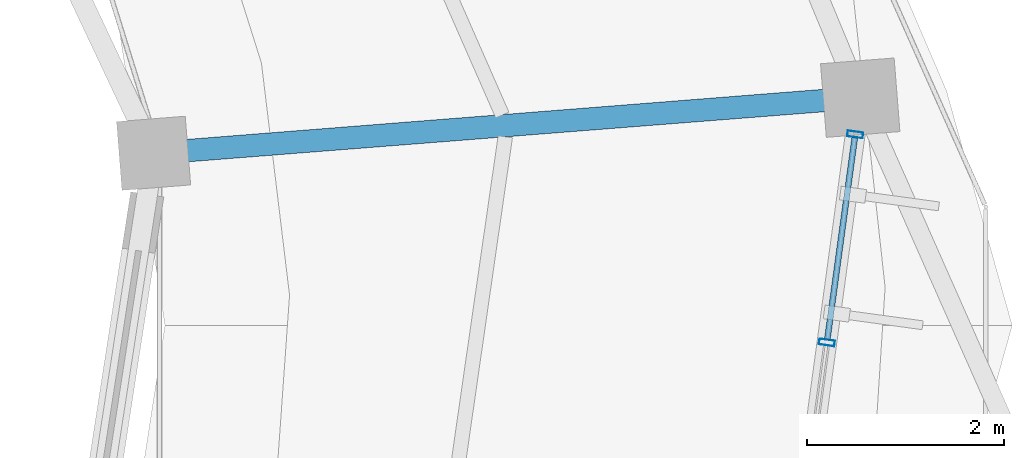
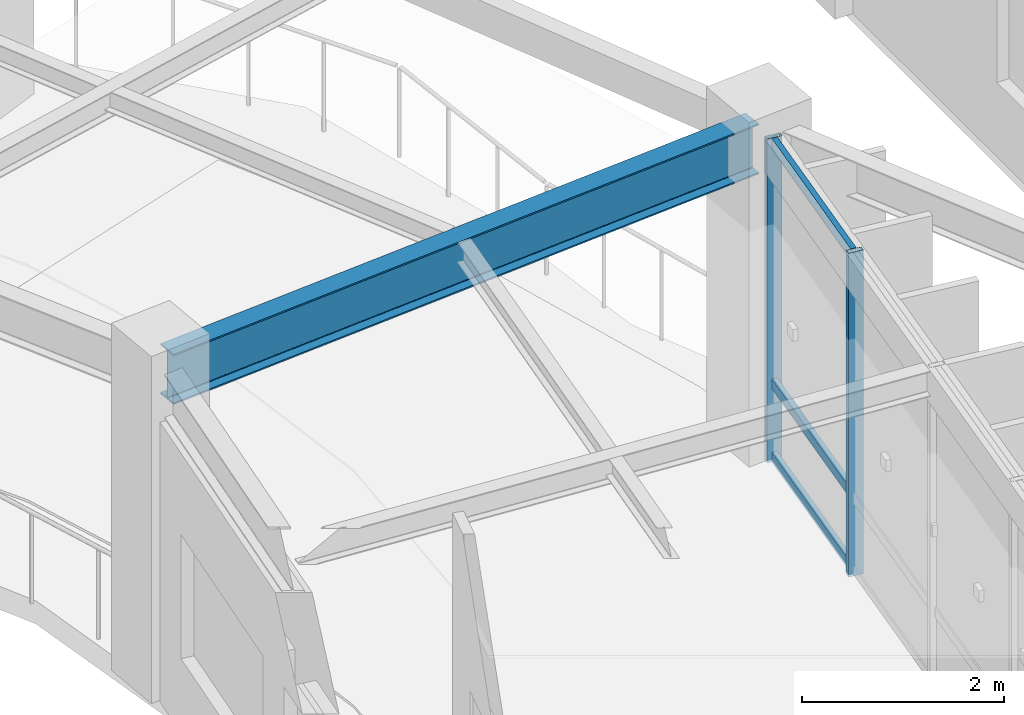
# One storey, part 99 of 152: 5 members, 1 beam, 1 element without a shape of its own.
"""IFC4 building model written with IfcOpenShell, lengths in metres."""

from ifc_helpers import new_model, si_unit, direction, frame, origin, origin_2d, place, context, subcontext, project, spatial, hollow_rectangle, i_section, extrude, material, material_profile, profile_set, type_object, element, aggregate, save


model = new_model("IFC4")

# Units and contexts
model_context = context("Model", 3, precision=1e-05, world=origin(), true_north=direction((0.0, 1.0)))
body_context = subcontext(model_context, "Body", "Model", "MODEL_VIEW")
ifc_project = project(units=[si_unit("LENGTHUNIT", "METRE"), si_unit("AREAUNIT", "SQUARE_METRE"), si_unit("VOLUMEUNIT", "CUBIC_METRE"), si_unit("PLANEANGLEUNIT", "RADIAN"), si_unit("MASSUNIT", "GRAM", prefix="KILO"), si_unit("THERMODYNAMICTEMPERATUREUNIT", "KELVIN"), si_unit("POWERUNIT", "WATT")], contexts=[model_context])

# Site, building, storey
site_placement = place(None, origin())
site = spatial("IfcSite", under=ifc_project, at=site_placement, CompositionType="ELEMENT")
building_placement = place(site_placement, origin())
building = spatial("IfcBuilding", under=site, at=building_placement, Name="Darbajah Civic Hall", CompositionType="ELEMENT")
storey_placement = place(building_placement, frame((0.0, 0.0, 5.39990234375)))
storey = spatial("IfcBuildingStorey", under=building, at=storey_placement, Name="L01", CompositionType="ELEMENT", Elevation=5.39990234375)

# Curtain wall, members
ifc_material_1 = material(Name="Anodised Bronze Aluminium and Low-E Glazing", Category="aluminium")
curtain_wall_type = type_object("IfcCurtainWallType", Name="Unitised Curtain Wall CW-36 8500x3900", PredefinedType="USERDEFINED", material=ifc_material_1)
curtain_wall_placement = place(storey_placement, origin())
curtain_wall = element("IfcCurtainWall", 1, at=curtain_wall_placement, inside=storey, type_object=curtain_wall_type, Name="L01 unitised curtain wall CW-V1O-L01-19", ObjectType="UNITISED CURTAIN WALL", PredefinedType="USERDEFINED")
ifc_material_2 = material(Name="Anodised Bronze Aluminium", Category="aluminium")
ifc_material_profile_1 = material_profile(ifc_material_2, hollow_rectangle(XDim=0.06005859375, YDim=0.159912109375, WallThickness=0.00341796875, at=origin_2d()), Name="ALU MULLION 60x160")
ifc_profile_set_1 = profile_set([ifc_material_profile_1], Name="Anodised Bronze Aluminium")
member_type_1 = type_object("IfcMemberType", Name="ALU MULLION 60x160", PredefinedType="MULLION", material=ifc_profile_set_1)
member_1_placement = place(storey_placement, frame((139.6044921875, 89.62744140625, 0.0), z_axis=(0.0, 0.0, 1.0), x_axis=(0.134850930274, 0.990865897387, 0.0)))
member_1 = element("IfcMember", 2, at=member_1_placement, type_object=member_type_1, Name="CW-V1O-L01-19 mullion 4", PredefinedType="MULLION", context=body_context, shape_type="SweptSolid", body=[
    extrude(hollow_rectangle(XDim=0.06005859375, YDim=0.159912109375, WallThickness=0.00341796875, at=origin_2d()), origin(), (0.0, 0.0, 1.0), 3.920166015625),
])
member_2_placement = place(storey_placement, frame((139.89208984375, 91.740966796875, 0.0), z_axis=(0.0, 0.0, 1.0), x_axis=(0.134850930274, 0.990865897387, 0.0)))
member_2 = element("IfcMember", 3, at=member_2_placement, type_object=member_type_1, Name="CW-V1O-L01-19 mullion 5", PredefinedType="MULLION", context=body_context, shape_type="SweptSolid", body=[
    extrude(hollow_rectangle(XDim=0.06005859375, YDim=0.159912109375, WallThickness=0.00341796875, at=origin_2d()), origin(), (0.0, 0.0, 1.0), 3.920166015625),
])
ifc_material_profile_2 = material_profile(ifc_material_2, hollow_rectangle(XDim=0.06005859375, YDim=0.1201171875, WallThickness=0.003173828125, at=origin_2d()), Name="ALU TRANSOM 60x120")
ifc_profile_set_2 = profile_set([ifc_material_profile_2], Name="Anodised Bronze Aluminium")
member_type_2 = type_object("IfcMemberType", Name="ALU TRANSOM 60x120", PredefinedType="USERDEFINED", material=ifc_profile_set_2)
member_3_placement = place(storey_placement, frame((139.609130859375, 89.662109375, 0.06005859375), z_axis=(0.134791058851, 0.990874043688, 0.0), x_axis=(-0.990874043688, 0.134791058851, 0.0)))
member_3 = element("IfcMember", 4, at=member_3_placement, type_object=member_type_2, Name="CW-V1O-L01-19 transom 4.1", ObjectType="TRANSOM", PredefinedType="USERDEFINED", context=body_context, shape_type="SweptSolid", body=[
    extrude(hollow_rectangle(XDim=0.06005859375, YDim=0.1201171875, WallThickness=0.003173828125, at=origin_2d()), origin(), (0.0, 0.0, 1.0), 2.06298828125),
])
member_4_placement = place(storey_placement, frame((139.609130859375, 89.662109375, 0.9501953125), z_axis=(0.134791058851, 0.990874043688, 0.0), x_axis=(-0.990874043688, 0.134791058851, 0.0)))
member_4 = element("IfcMember", 5, at=member_4_placement, type_object=member_type_2, Name="CW-V1O-L01-19 transom 4.2", ObjectType="TRANSOM", PredefinedType="USERDEFINED", context=body_context, shape_type="SweptSolid", body=[
    extrude(hollow_rectangle(XDim=0.06005859375, YDim=0.1201171875, WallThickness=0.003173828125, at=origin_2d()), origin(), (0.0, 0.0, 1.0), 2.06298828125),
])
member_5_placement = place(storey_placement, frame((139.609130859375, 89.662109375, 3.860107421875), z_axis=(0.134791058851, 0.990874043688, 0.0), x_axis=(-0.990874043688, 0.134791058851, 0.0)))
member_5 = element("IfcMember", 6, at=member_5_placement, type_object=member_type_2, Name="CW-V1O-L01-19 transom 4.3", ObjectType="TRANSOM", PredefinedType="USERDEFINED", context=body_context, shape_type="SweptSolid", body=[
    extrude(hollow_rectangle(XDim=0.06005859375, YDim=0.1201171875, WallThickness=0.003173828125, at=origin_2d()), origin(), (0.0, 0.0, 1.0), 2.06298828125),
])
aggregate(curtain_wall, [member_1, member_2, member_3, member_4, member_5])

# Beam
ifc_material_3 = material(Name="Steel S355JR", Category="steel")
ifc_material_profile_3 = material_profile(ifc_material_3, i_section(OverallWidth=0.228271484375, OverallDepth=0.607666015625, WebThickness=0.010986328125, FlangeThickness=0.017333984375, FilletRadius=0.0126953125, at=origin_2d()), Name="UB 610x229x113")
ifc_profile_set_3 = profile_set([ifc_material_profile_3], Name="Steel S355JR")
beam_type = type_object("IfcBeamType", Name="UB 610x229x113", PredefinedType="BEAM", material=ifc_profile_set_3)
beam_placement = place(storey_placement, frame((132.8447265625, 91.555908203125, 3.6162109375), z_axis=(0.996918521601, 0.078444000969, 0.0), x_axis=(-0.078444000969, 0.996918521601, 0.0)))
element("IfcBeam", 7, at=beam_placement, inside=storey, type_object=beam_type, Name="L01 beam SB-610", PredefinedType="BEAM", context=body_context, shape_type="SweptSolid", body=[
    extrude(i_section(OverallWidth=0.228271484375, OverallDepth=0.607666015625, WebThickness=0.010986328125, FlangeThickness=0.017333984375, FilletRadius=0.0126953125, at=origin_2d()), origin(), (0.0, 0.0, 1.0), 7.0400390625),
])

save(model, "model.ifc")
